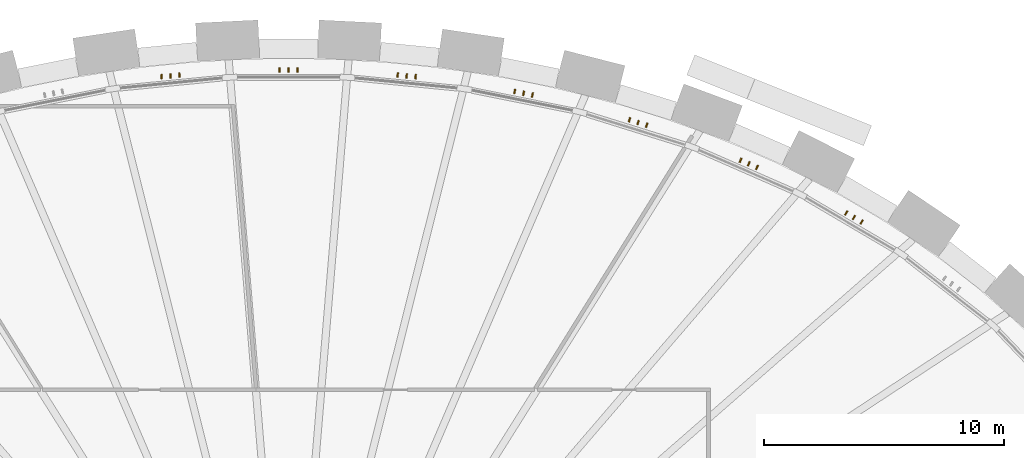
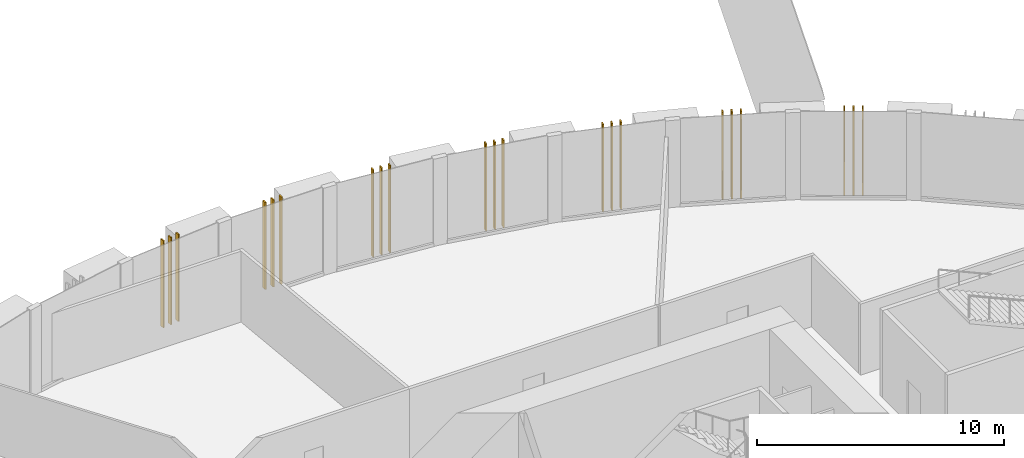
# One storey, part 19 of 21: 21 shading devices.
"""IFC4 building model written with IfcOpenShell, lengths in metres."""

from ifc_helpers import new_model, si_unit, direction, frame, origin, origin_2d, place, context, subcontext, project, spatial, rectangle, extrude, source, transform, mapped, material, material_profile, profile_set, type_object, element, save


model = new_model("IFC4")

# Units and contexts
model_context = context("Model", 3, precision=1e-05, world=origin(), true_north=direction((0.0, 1.0)))
body_context = subcontext(model_context, "Body", "Model", "MODEL_VIEW")
ifc_project = project(units=[si_unit("LENGTHUNIT", "METRE"), si_unit("AREAUNIT", "SQUARE_METRE"), si_unit("VOLUMEUNIT", "CUBIC_METRE"), si_unit("PLANEANGLEUNIT", "RADIAN"), si_unit("MASSUNIT", "GRAM", prefix="KILO")], contexts=[model_context])

# Site, building, storey
site_placement = place(None, origin())
site = spatial("IfcSite", under=ifc_project, at=site_placement, CompositionType="ELEMENT")
building_placement = place(site_placement, origin())
building = spatial("IfcBuilding", under=site, at=building_placement, Name="Embergate Tower", CompositionType="ELEMENT")
storey_placement = place(building_placement, frame((0.0, 0.0, 33.5)))
storey = spatial("IfcBuildingStorey", under=building, at=storey_placement, Name="L04", CompositionType="ELEMENT", Elevation=33.5)

# Shading devices
ifc_material = material(Name="Terracotta, extruded and glazed", Category="masonry")
ifc_material_profile = material_profile(ifc_material, rectangle(XDim=0.18994140625, YDim=0.06005859375, at=origin_2d()), Name="TC 190x60")
ifc_profile_set = profile_set([ifc_material_profile], Name="Terracotta, extruded and glazed")
shading_device_type = type_object("IfcShadingDeviceType", Name="Terracotta fin", PredefinedType="USERDEFINED", material=ifc_profile_set)
shared_shape = source(origin(), body_context, "Body", "SweptSolid", [
    extrude(rectangle(XDim=0.18994140625, YDim=0.06005859375, at=origin_2d()), origin(), (0.0, 0.0, 1.0), 4.300048828125),
])
for number, where, z_axis, x_axis, name in (
    (1, (23.8837890625, 23.4853515625, 0.0), (0.0, 0.0, 1.0), (-0.506814843614, -0.862054936934, 0.0), "Fin 6.1"),
    (2, (23.5625, 23.67431640625, 0.0), (0.0, 0.0, 1.0), (-0.506814843614, -0.862054936934, 0.0), "Fin 6.2"),
    (3, (23.2412109375, 23.863037109375, 0.0), (0.0, 0.0, 1.0), (-0.506814843614, -0.862054936934, 0.0), "Fin 6.3"),
    (4, (19.52197265625, 25.760986328125, 0.0), (0.0, 0.0, 1.0), (-0.400636896638, -0.916236910986, 0.0), "Fin 7.1"),
    (5, (19.179443359375, 25.910888671875, 0.0), (0.0, 0.0, 1.0), (-0.400636896638, -0.916236910986, 0.0), "Fin 7.2"),
    (6, (18.8369140625, 26.060546875, 0.0), (0.0, 0.0, 1.0), (-0.400636896638, -0.916236910986, 0.0), "Fin 7.3"),
    (7, (14.92431640625, 27.52001953125, 0.0), (0.0, 0.0, 1.0), (-0.297336547283, -0.954772736126, 0.0), "Fin 8.1"),
    (8, (14.56640625, 27.631591796875, 0.0), (0.0, 0.0, 1.0), (-0.297336547283, -0.954772736126, 0.0), "Fin 8.2"),
    (9, (14.20849609375, 27.742919921875, 0.0), (0.0, 0.0, 1.0), (-0.297336547283, -0.954772736126, 0.0), "Fin 8.3"),
    (10, (10.162109375, 28.77587890625, 0.0), (0.0, 0.0, 1.0), (-0.196637539636, -0.980476250608, 0.0), "Fin 9.1"),
    (11, (9.7939453125, 28.849609375, 0.0), (0.0, 0.0, 1.0), (-0.196637539636, -0.980476250608, 0.0), "Fin 9.2"),
    (12, (9.42578125, 28.923583984375, 0.0), (0.0, 0.0, 1.0), (-0.196637539636, -0.980476250608, 0.0), "Fin 9.3"),
    (13, (5.295166015625, 29.5390625, 0.0), (0.0, 0.0, 1.0), (-0.09782781373, -0.995203355531, 0.0), "Fin 10.1"),
    (14, (4.921142578125, 29.575927734375, 0.0), (0.0, 0.0, 1.0), (-0.09782781373, -0.995203355531, 0.0), "Fin 10.2"),
    (15, (4.54736328125, 29.612548828125, 0.0), (0.0, 0.0, 1.0), (-0.09782781373, -0.995203355531, 0.0), "Fin 10.3"),
    (16, (0.375732421875, 29.817138671875, 0.0), (0.0, 0.0, 1.0), (0.0, -1.0, 0.0), "Fin 11.1"),
    (17, (0.0, 29.817138671875, 0.0), (0.0, 0.0, 1.0), (0.0, -1.0, 0.0), "Fin 11.2"),
    (18, (-0.375732421875, 29.817138671875, 0.0), (0.0, 0.0, 1.0), (0.0, -1.0, 0.0), "Fin 11.3"),
    (19, (-4.54736328125, 29.612548828125, 0.0), (0.0, 0.0, 1.0), (0.09782781373, -0.995203355531, 0.0), "Fin 12.1"),
    (20, (-4.921142578125, 29.575927734375, 0.0), (0.0, 0.0, 1.0), (0.09782781373, -0.995203355531, 0.0), "Fin 12.2"),
    (21, (-5.295166015625, 29.5390625, 0.0), (0.0, 0.0, 1.0), (0.09782781373, -0.995203355531, 0.0), "Fin 12.3"),
):
    element("IfcShadingDevice", number, at=place(storey_placement, frame(where, z_axis=z_axis, x_axis=x_axis)), inside=storey, type_object=shading_device_type, Name=name, ObjectType="FIN", PredefinedType="USERDEFINED", context=body_context, shape_type="MappedRepresentation", body=[
        mapped(shared_shape, transform((0.0, 0.0, 0.0))),
    ])

save(model, "model.ifc")
